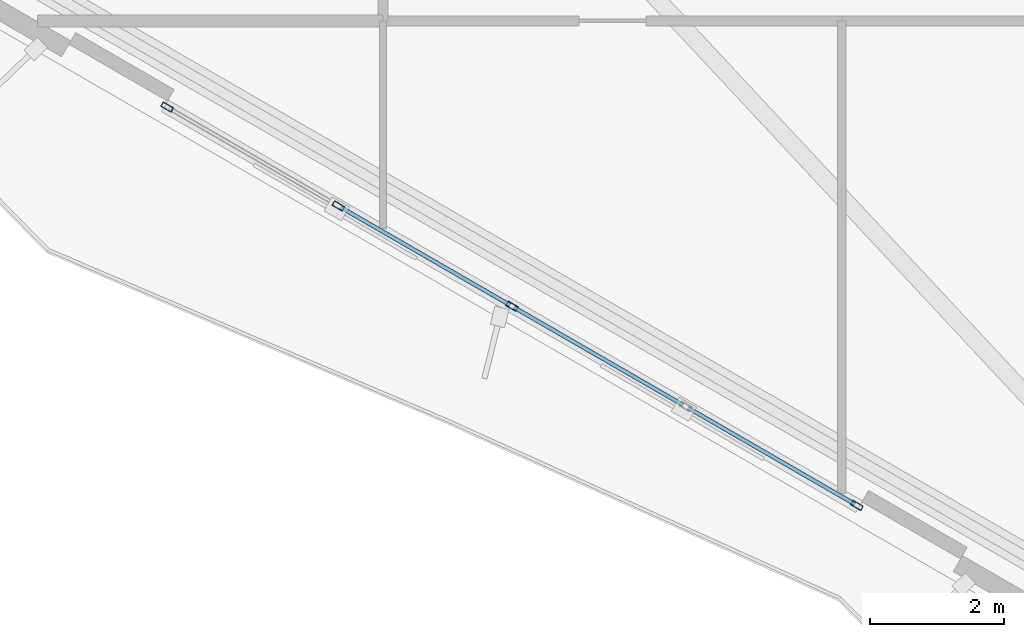
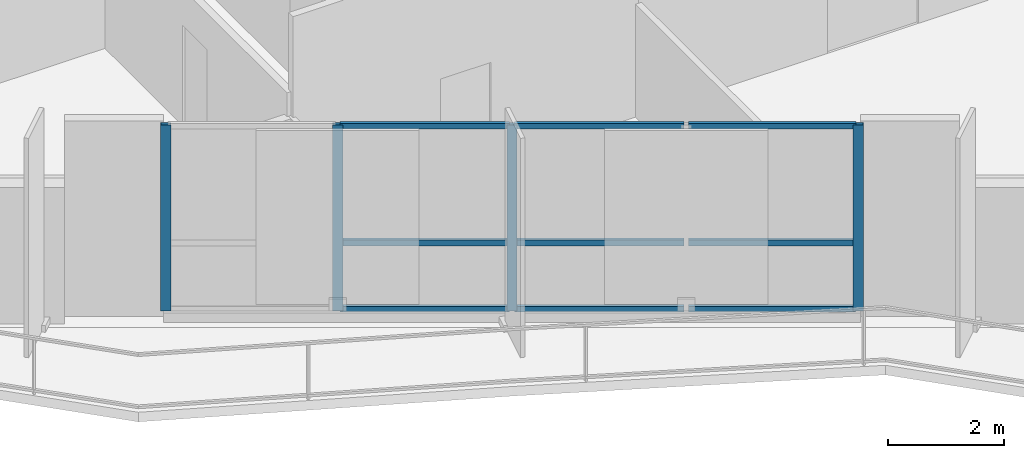
# One storey, part 2 of 16: 13 members, 1 element without a shape of its own.
"""IFC4 building model written with IfcOpenShell, lengths in metres."""

from ifc_helpers import new_model, si_unit, direction, frame, origin, origin_2d, place, context, subcontext, project, spatial, hollow_rectangle, extrude, material, layer, layer_set, material_profile, profile_set, type_object, element, aggregate, save


model = new_model("IFC4")

# Units and contexts
model_context = context("Model", 3, precision=1e-05, world=origin(), true_north=direction((0.0, 1.0)))
body_context = subcontext(model_context, "Body", "Model", "MODEL_VIEW")
ifc_project = project(units=[si_unit("LENGTHUNIT", "METRE"), si_unit("AREAUNIT", "SQUARE_METRE"), si_unit("VOLUMEUNIT", "CUBIC_METRE"), si_unit("PLANEANGLEUNIT", "RADIAN"), si_unit("MASSUNIT", "GRAM", prefix="KILO")], contexts=[model_context])

# Site, building, storey
site_placement = place(None, origin())
site = spatial("IfcSite", under=ifc_project, at=site_placement, CompositionType="ELEMENT")
building_placement = place(site_placement, origin())
building = spatial("IfcBuilding", under=site, at=building_placement, Name="Mersakhor Tower and Convention Hall", CompositionType="ELEMENT")
storey_placement = place(building_placement, frame((0.0, 0.0, 62.10009765625)))
storey = spatial("IfcBuildingStorey", under=building, at=storey_placement, Name="L17", CompositionType="ELEMENT", Elevation=62.10009765625)

# Curtain wall, members
ifc_material_1 = material(Name="Dark solar low-E aluminium curtain wall", Category="aluminium")
ifc_layer = layer(ifc_material_1, 0.199951171875)
ifc_layer_set = layer_set([ifc_layer], Name="Dark solar low-E aluminium curtain wall")
curtain_wall_type = type_object("IfcCurtainWallType", Name="CW-SYS-05", PredefinedType="USERDEFINED", material=ifc_layer_set)
curtain_wall_placement = place(storey_placement, origin())
curtain_wall = element("IfcCurtainWall", 1, at=curtain_wall_placement, inside=storey, type_object=curtain_wall_type, Name="L17 Dark-Glass Curtain Wall F3-B2", ObjectType="CURTAIN WALL", PredefinedType="USERDEFINED")
ifc_material_2 = material(Name="Anodised aluminium EN AW-6063 T6", Category="aluminium")
ifc_material_profile_1 = material_profile(ifc_material_2, hollow_rectangle(XDim=0.080078125, YDim=0.179931640625, WallThickness=0.008056640625, at=origin_2d()), Name="RHS 180x80x8")
ifc_profile_set_1 = profile_set([ifc_material_profile_1], Name="Anodised aluminium EN AW-6063 T6")
member_type_1 = type_object("IfcMemberType", Name="CWM-180x80", PredefinedType="MULLION", material=ifc_profile_set_1)
member_1_placement = place(storey_placement, frame((26.724853515625, 10.916259765625, 0.199951171875), z_axis=(0.0, 0.0, 1.0), x_axis=(-0.50000344889, -0.866023412558, 0.0)))
member_1 = element("IfcMember", 2, at=member_1_placement, type_object=member_type_1, Name="CW-05 mullion 1", PredefinedType="MULLION", context=body_context, shape_type="SweptSolid", body=[
    extrude(hollow_rectangle(XDim=0.080078125, YDim=0.179931640625, WallThickness=0.008056640625, at=origin_2d()), origin(), (0.0, 0.0, 1.0), 3.89990234375),
])
member_2_placement = place(storey_placement, frame((21.574951171875, 13.889404296875, 0.199951171875), z_axis=(0.0, 0.0, 1.0), x_axis=(-0.50000344889, -0.866023412558, 0.0)))
member_2 = element("IfcMember", 3, at=member_2_placement, type_object=member_type_1, Name="CW-05 mullion 3", PredefinedType="MULLION", context=body_context, shape_type="SweptSolid", body=[
    extrude(hollow_rectangle(XDim=0.080078125, YDim=0.179931640625, WallThickness=0.008056640625, at=origin_2d()), origin(), (0.0, 0.0, 1.0), 3.89990234375),
])
member_3_placement = place(storey_placement, frame((18.982666015625, 15.38623046875, 0.199951171875), z_axis=(0.0, 0.0, 1.0), x_axis=(-0.50000344889, -0.866023412558, 0.0)))
member_3 = element("IfcMember", 4, at=member_3_placement, type_object=member_type_1, Name="CW-05 mullion 4", PredefinedType="MULLION", context=body_context, shape_type="SweptSolid", body=[
    extrude(hollow_rectangle(XDim=0.080078125, YDim=0.179931640625, WallThickness=0.008056640625, at=origin_2d()), origin(), (0.0, 0.0, 1.0), 3.89990234375),
])
member_4_placement = place(storey_placement, frame((16.425048828125, 16.86279296875, 0.199951171875), z_axis=(0.0, 0.0, 1.0), x_axis=(-0.50000344889, -0.866023412558, 0.0)))
member_4 = element("IfcMember", 5, at=member_4_placement, type_object=member_type_1, Name="CW-05 mullion 5", PredefinedType="MULLION", context=body_context, shape_type="SweptSolid", body=[
    extrude(hollow_rectangle(XDim=0.080078125, YDim=0.179931640625, WallThickness=0.008056640625, at=origin_2d()), origin(), (0.0, 0.0, 1.0), 3.89990234375),
])
ifc_material_3 = material(Name="Anodised aluminium EN AW-6063 T6", Category="aluminium")
ifc_material_profile_2 = material_profile(ifc_material_3, hollow_rectangle(XDim=0.06005859375, YDim=0.1201171875, WallThickness=0.0048828125, at=origin_2d()), Name="RHS 120x60x5")
ifc_profile_set_2 = profile_set([ifc_material_profile_2], Name="Anodised aluminium EN AW-6063 T6")
member_type_2 = type_object("IfcMemberType", Name="CWT-120x60", PredefinedType="USERDEFINED", material=ifc_profile_set_2)
member_5_placement = place(storey_placement, frame((26.690185546875, 10.936279296875, 0.22998046875), z_axis=(-0.866038426532, 0.499977443261, 0.0), x_axis=(-0.499977443261, -0.866038426532, 0.0)))
member_5 = element("IfcMember", 6, at=member_5_placement, type_object=member_type_2, Name="CW-05 transom 1.1", ObjectType="TRANSOM", PredefinedType="USERDEFINED", context=body_context, shape_type="SweptSolid", body=[
    extrude(hollow_rectangle(XDim=0.06005859375, YDim=0.1201171875, WallThickness=0.0048828125, at=origin_2d()), origin(), (0.0, 0.0, 1.0), 2.873291015625),
])
member_6_placement = place(storey_placement, frame((26.690185546875, 10.936279296875, 1.619873046875), z_axis=(-0.866038426532, 0.499977443261, 0.0), x_axis=(-0.499977443261, -0.866038426532, 0.0)))
member_6 = element("IfcMember", 7, at=member_6_placement, type_object=member_type_2, Name="CW-05 transom 1.2", ObjectType="TRANSOM", PredefinedType="USERDEFINED", context=body_context, shape_type="SweptSolid", body=[
    extrude(hollow_rectangle(XDim=0.06005859375, YDim=0.1201171875, WallThickness=0.0048828125, at=origin_2d()), origin(), (0.0, 0.0, 1.0), 2.873291015625),
])
member_7_placement = place(storey_placement, frame((26.690185546875, 10.936279296875, 4.06982421875), z_axis=(-0.866038426532, 0.499977443261, 0.0), x_axis=(-0.499977443261, -0.866038426532, 0.0)))
member_7 = element("IfcMember", 8, at=member_7_placement, type_object=member_type_2, Name="CW-05 transom 1.3", ObjectType="TRANSOM", PredefinedType="USERDEFINED", context=body_context, shape_type="SweptSolid", body=[
    extrude(hollow_rectangle(XDim=0.06005859375, YDim=0.1201171875, WallThickness=0.0048828125, at=origin_2d()), origin(), (0.0, 0.0, 1.0), 2.873291015625),
])
member_8_placement = place(storey_placement, frame((24.132568359375, 12.412841796875, 0.22998046875), z_axis=(-0.866037657489, 0.499978775361, 0.0), x_axis=(-0.499978775361, -0.866037657489, 0.0)))
member_8 = element("IfcMember", 9, at=member_8_placement, type_object=member_type_2, Name="CW-05 transom 2.1", ObjectType="TRANSOM", PredefinedType="USERDEFINED", context=body_context, shape_type="SweptSolid", body=[
    extrude(hollow_rectangle(XDim=0.06005859375, YDim=0.1201171875, WallThickness=0.0048828125, at=origin_2d()), origin(), (0.0, 0.0, 1.0), 2.913330078125),
])
member_9_placement = place(storey_placement, frame((24.132568359375, 12.412841796875, 1.619873046875), z_axis=(-0.866037657489, 0.499978775361, 0.0), x_axis=(-0.499978775361, -0.866037657489, 0.0)))
member_9 = element("IfcMember", 10, at=member_9_placement, type_object=member_type_2, Name="CW-05 transom 2.2", ObjectType="TRANSOM", PredefinedType="USERDEFINED", context=body_context, shape_type="SweptSolid", body=[
    extrude(hollow_rectangle(XDim=0.06005859375, YDim=0.1201171875, WallThickness=0.0048828125, at=origin_2d()), origin(), (0.0, 0.0, 1.0), 2.913330078125),
])
member_10_placement = place(storey_placement, frame((24.132568359375, 12.412841796875, 4.06982421875), z_axis=(-0.866037657489, 0.499978775361, 0.0), x_axis=(-0.499978775361, -0.866037657489, 0.0)))
member_10 = element("IfcMember", 11, at=member_10_placement, type_object=member_type_2, Name="CW-05 transom 2.3", ObjectType="TRANSOM", PredefinedType="USERDEFINED", context=body_context, shape_type="SweptSolid", body=[
    extrude(hollow_rectangle(XDim=0.06005859375, YDim=0.1201171875, WallThickness=0.0048828125, at=origin_2d()), origin(), (0.0, 0.0, 1.0), 2.913330078125),
])
member_11_placement = place(storey_placement, frame((21.540283203125, 13.909423828125, 0.22998046875), z_axis=(-0.866001369261, 0.500041626706, 0.0), x_axis=(-0.500041626706, -0.866001369261, 0.0)))
member_11 = element("IfcMember", 12, at=member_11_placement, type_object=member_type_2, Name="CW-05 transom 3.1", ObjectType="TRANSOM", PredefinedType="USERDEFINED", context=body_context, shape_type="SweptSolid", body=[
    extrude(hollow_rectangle(XDim=0.06005859375, YDim=0.1201171875, WallThickness=0.0048828125, at=origin_2d()), origin(), (0.0, 0.0, 1.0), 2.913330078125),
])
member_12_placement = place(storey_placement, frame((21.540283203125, 13.909423828125, 1.619873046875), z_axis=(-0.866001369261, 0.500041626706, 0.0), x_axis=(-0.500041626706, -0.866001369261, 0.0)))
member_12 = element("IfcMember", 13, at=member_12_placement, type_object=member_type_2, Name="CW-05 transom 3.2", ObjectType="TRANSOM", PredefinedType="USERDEFINED", context=body_context, shape_type="SweptSolid", body=[
    extrude(hollow_rectangle(XDim=0.06005859375, YDim=0.1201171875, WallThickness=0.0048828125, at=origin_2d()), origin(), (0.0, 0.0, 1.0), 2.913330078125),
])
member_13_placement = place(storey_placement, frame((21.540283203125, 13.909423828125, 4.06982421875), z_axis=(-0.866001369261, 0.500041626706, 0.0), x_axis=(-0.500041626706, -0.866001369261, 0.0)))
member_13 = element("IfcMember", 14, at=member_13_placement, type_object=member_type_2, Name="CW-05 transom 3.3", ObjectType="TRANSOM", PredefinedType="USERDEFINED", context=body_context, shape_type="SweptSolid", body=[
    extrude(hollow_rectangle(XDim=0.06005859375, YDim=0.1201171875, WallThickness=0.0048828125, at=origin_2d()), origin(), (0.0, 0.0, 1.0), 2.913330078125),
])
aggregate(curtain_wall, [member_1, member_2, member_3, member_4, member_5, member_6, member_7, member_8, member_9, member_10, member_11, member_12, member_13])

save(model, "model.ifc")
